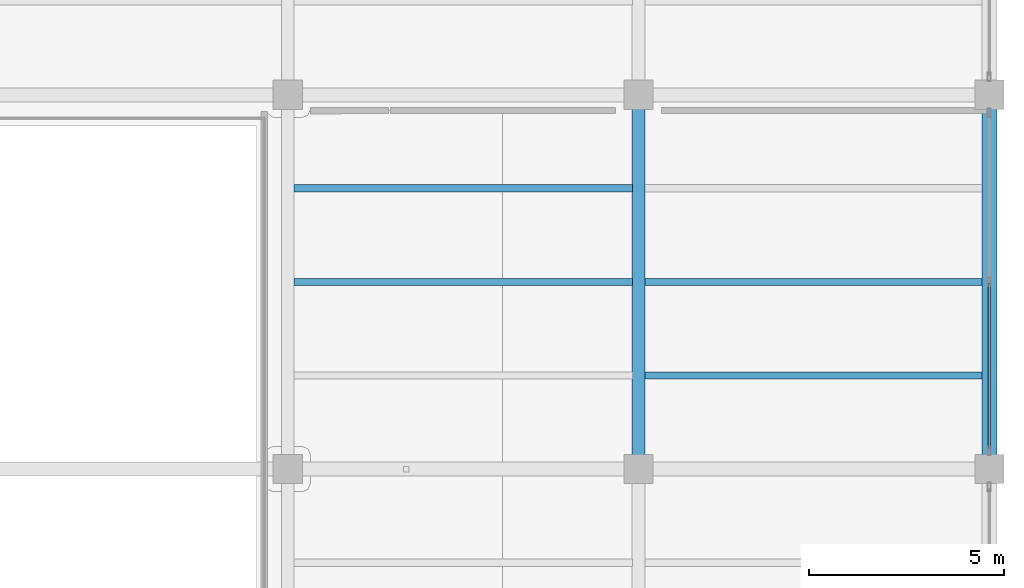
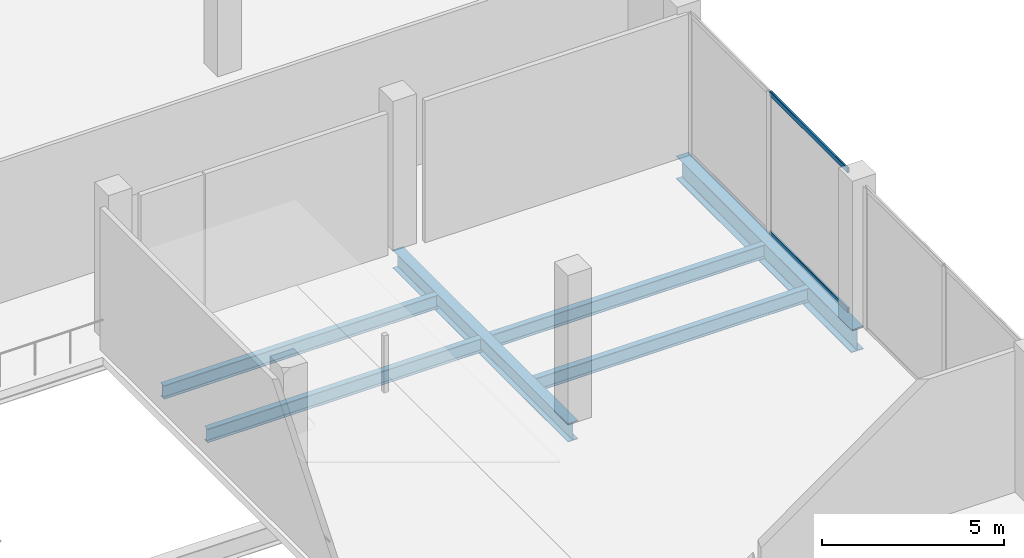
# One storey, part 19 of 47: 6 beams, 2 members, 1 element without a shape of its own.
"""IFC4 building model written with IfcOpenShell, lengths in metres."""

from ifc_helpers import new_model, si_unit, direction, frame, origin, origin_2d, place, context, subcontext, project, spatial, hollow_rectangle, i_section, extrude, material, layer, layer_set, material_profile, profile_set, type_object, element, aggregate, save


model = new_model("IFC4")

# Units and contexts
model_context = context("Model", 3, precision=1e-05, world=origin(), true_north=direction((0.0, 1.0)))
body_context = subcontext(model_context, "Body", "Model", "MODEL_VIEW")
ifc_project = project(units=[si_unit("LENGTHUNIT", "METRE"), si_unit("AREAUNIT", "SQUARE_METRE"), si_unit("VOLUMEUNIT", "CUBIC_METRE"), si_unit("PLANEANGLEUNIT", "RADIAN"), si_unit("MASSUNIT", "GRAM", prefix="KILO")], contexts=[model_context])

# Site, building, storey
site_placement = place(None, origin())
site = spatial("IfcSite", under=ifc_project, at=site_placement, CompositionType="ELEMENT")
building_placement = place(site_placement, origin())
building = spatial("IfcBuilding", under=site, at=building_placement, Name="Qorvath Tower", CompositionType="ELEMENT")
storey_placement = place(building_placement, frame((0.0, 0.0, 12.0)))
storey = spatial("IfcBuildingStorey", under=building, at=storey_placement, Name="L02", CompositionType="ELEMENT", Elevation=12.0)

# Beams
ifc_material_1 = material(Name="Steel ASTM A992 Grade 50", Category="steel")
ifc_material_profile_1 = material_profile(ifc_material_1, i_section(OverallWidth=0.381103515625, OverallDepth=0.77294921875, WebThickness=0.0166015625, FlangeThickness=0.027099609375, FilletRadius=0.01904296875, at=origin_2d()), Name="W30x173")
ifc_profile_set_1 = profile_set([ifc_material_profile_1], Name="Steel ASTM A992 Grade 50")
beam_type_1 = type_object("IfcBeamType", Name="BM-FG3", PredefinedType="BEAM", material=ifc_profile_set_1)
beam_1_placement = place(storey_placement, frame((77.39990234375, 0.0, -0.646484375), z_axis=(0.0, 1.0, 0.0), x_axis=(-1.0, 0.0, 0.0)))
element("IfcBeam", 1, at=beam_1_placement, inside=storey, type_object=beam_type_1, Name="Library N-S Girder L02-6-5", PredefinedType="BEAM", context=body_context, shape_type="SweptSolid", body=[
    extrude(i_section(OverallWidth=0.381103515625, OverallDepth=0.77294921875, WebThickness=0.0166015625, FlangeThickness=0.027099609375, FilletRadius=0.01904296875, at=origin_2d()), origin(), (0.0, 0.0, 1.0), 9.60009765625),
])
ifc_material_2 = material(Name="Steel ASTM A992 Grade 50", Category="steel")
ifc_material_profile_2 = material_profile(ifc_material_2, i_section(OverallWidth=0.324951171875, OverallDepth=0.615966796875, WebThickness=0.013916015625, FlangeThickness=0.021484375, FilletRadius=0.01611328125, at=origin_2d()), Name="W24x117")
ifc_profile_set_2 = profile_set([ifc_material_profile_2], Name="Steel ASTM A992 Grade 50")
beam_type_2 = type_object("IfcBeamType", Name="BM-FG5", PredefinedType="BEAM", material=ifc_profile_set_2)
beam_2_placement = place(storey_placement, frame((68.39990234375, 0.0, -0.568115234375), z_axis=(0.0, 1.0, 0.0), x_axis=(-1.0, 0.0, 0.0)))
element("IfcBeam", 2, at=beam_2_placement, inside=storey, type_object=beam_type_2, Name="Library N-S Girder L02-5-5", PredefinedType="BEAM", context=body_context, shape_type="SweptSolid", body=[
    extrude(i_section(OverallWidth=0.324951171875, OverallDepth=0.615966796875, WebThickness=0.013916015625, FlangeThickness=0.021484375, FilletRadius=0.01611328125, at=origin_2d()), origin(), (0.0, 0.0, 1.0), 9.60009765625),
])
ifc_material_3 = material(Name="Steel ASTM A992 Grade 50", Category="steel")
ifc_material_profile_3 = material_profile(ifc_material_3, i_section(OverallWidth=0.18994140625, OverallDepth=0.45703125, WebThickness=0.009033203125, FlangeThickness=0.014404296875, FilletRadius=0.011962890625, at=origin_2d()), Name="W18x50")
ifc_profile_set_3 = profile_set([ifc_material_profile_3], Name="Steel ASTM A992 Grade 50")
beam_type_3 = type_object("IfcBeamType", Name="BM-FJ2", PredefinedType="JOIST", material=ifc_profile_set_3)
beam_3_placement = place(storey_placement, frame((68.560546875, 2.39990234375, -0.488525390625), z_axis=(1.0, 0.0, 0.0), x_axis=(0.0, 1.0, 0.0)))
element("IfcBeam", 3, at=beam_3_placement, inside=storey, type_object=beam_type_3, Name="Library Stack Joist L02-5.1-5", PredefinedType="JOIST", context=body_context, shape_type="SweptSolid", body=[
    extrude(i_section(OverallWidth=0.18994140625, OverallDepth=0.45703125, WebThickness=0.009033203125, FlangeThickness=0.014404296875, FilletRadius=0.011962890625, at=origin_2d()), origin(), (0.0, 0.0, 1.0), 8.65087890625),
])
beam_4_placement = place(storey_placement, frame((59.560546875, 4.800048828125, -0.488525390625), z_axis=(1.0, 0.0, 0.0), x_axis=(0.0, 1.0, 0.0)))
element("IfcBeam", 4, at=beam_4_placement, inside=storey, type_object=beam_type_3, Name="Library Stack Joist L02-5.2-4", PredefinedType="JOIST", context=body_context, shape_type="SweptSolid", body=[
    extrude(i_section(OverallWidth=0.18994140625, OverallDepth=0.45703125, WebThickness=0.009033203125, FlangeThickness=0.014404296875, FilletRadius=0.011962890625, at=origin_2d()), origin(), (0.0, 0.0, 1.0), 8.678955078125),
])
beam_5_placement = place(storey_placement, frame((68.560546875, 4.800048828125, -0.488525390625), z_axis=(1.0, 0.0, 0.0), x_axis=(0.0, 1.0, 0.0)))
element("IfcBeam", 5, at=beam_5_placement, inside=storey, type_object=beam_type_3, Name="Library Stack Joist L02-5.2-5", PredefinedType="JOIST", context=body_context, shape_type="SweptSolid", body=[
    extrude(i_section(OverallWidth=0.18994140625, OverallDepth=0.45703125, WebThickness=0.009033203125, FlangeThickness=0.014404296875, FilletRadius=0.011962890625, at=origin_2d()), origin(), (0.0, 0.0, 1.0), 8.65087890625),
])
beam_6_placement = place(storey_placement, frame((59.560546875, 7.199951171875, -0.488525390625), z_axis=(1.0, 0.0, 0.0), x_axis=(0.0, 1.0, 0.0)))
element("IfcBeam", 6, at=beam_6_placement, inside=storey, type_object=beam_type_3, Name="Library Stack Joist L02-5.3-4", PredefinedType="JOIST", context=body_context, shape_type="SweptSolid", body=[
    extrude(i_section(OverallWidth=0.18994140625, OverallDepth=0.45703125, WebThickness=0.009033203125, FlangeThickness=0.014404296875, FilletRadius=0.011962890625, at=origin_2d()), origin(), (0.0, 0.0, 1.0), 8.678955078125),
])

# Curtain wall, members
ifc_material_4 = material(Name="Anodised aluminium and triple low-E glass", Category="aluminium")
ifc_layer = layer(ifc_material_4, 0.179931640625)
ifc_layer_set = layer_set([ifc_layer], Name="CW-SYS-6")
curtain_wall_type = type_object("IfcCurtainWallType", Name="CW-SYS-6", PredefinedType="NOTDEFINED", material=ifc_layer_set)
curtain_wall_placement = place(storey_placement, origin())
curtain_wall = element("IfcCurtainWall", 7, at=curtain_wall_placement, inside=storey, type_object=curtain_wall_type, Name="Curtain Wall CW-6 CW-LIB-E-L02-5", PredefinedType="NOTDEFINED")
ifc_material_5 = material(Name="Anodised aluminium 6063-T6", Category="aluminium")
ifc_material_profile_4 = material_profile(ifc_material_5, hollow_rectangle(XDim=0.06494140625, YDim=0.159912109375, WallThickness=0.00341796875, InnerFilletRadius=0.00341796875, OuterFilletRadius=0.007080078125, at=origin_2d()), Name="CWT 160x65")
ifc_profile_set_4 = profile_set([ifc_material_profile_4], Name="Anodised aluminium 6063-T6")
member_type = type_object("IfcMemberType", Name="CWT-160", PredefinedType="USERDEFINED", material=ifc_profile_set_4)
member_1_placement = place(storey_placement, frame((77.39990234375, 0.5, 0.032470703125), z_axis=(0.0, 1.0, 0.0), x_axis=(-1.0, 0.0, 0.0)))
member_1 = element("IfcMember", 8, at=member_1_placement, type_object=member_type, Name="CW-6 transom 1.1", ObjectType="TRANSOM", PredefinedType="USERDEFINED", context=body_context, shape_type="SweptSolid", body=[
    extrude(hollow_rectangle(XDim=0.06494140625, YDim=0.159912109375, WallThickness=0.00341796875, InnerFilletRadius=0.00341796875, OuterFilletRadius=0.007080078125, at=origin_2d()), origin(), (0.0, 0.0, 1.0), 4.260009765625),
])
member_2_placement = place(storey_placement, frame((77.39990234375, 0.5, 4.70751953125), z_axis=(0.0, 1.0, 0.0), x_axis=(-1.0, 0.0, 0.0)))
member_2 = element("IfcMember", 9, at=member_2_placement, type_object=member_type, Name="CW-6 transom 1.2", ObjectType="TRANSOM", PredefinedType="USERDEFINED", context=body_context, shape_type="SweptSolid", body=[
    extrude(hollow_rectangle(XDim=0.06494140625, YDim=0.159912109375, WallThickness=0.00341796875, InnerFilletRadius=0.00341796875, OuterFilletRadius=0.007080078125, at=origin_2d()), origin(), (0.0, 0.0, 1.0), 4.260009765625),
])
aggregate(curtain_wall, [member_1, member_2])

save(model, "model.ifc")
